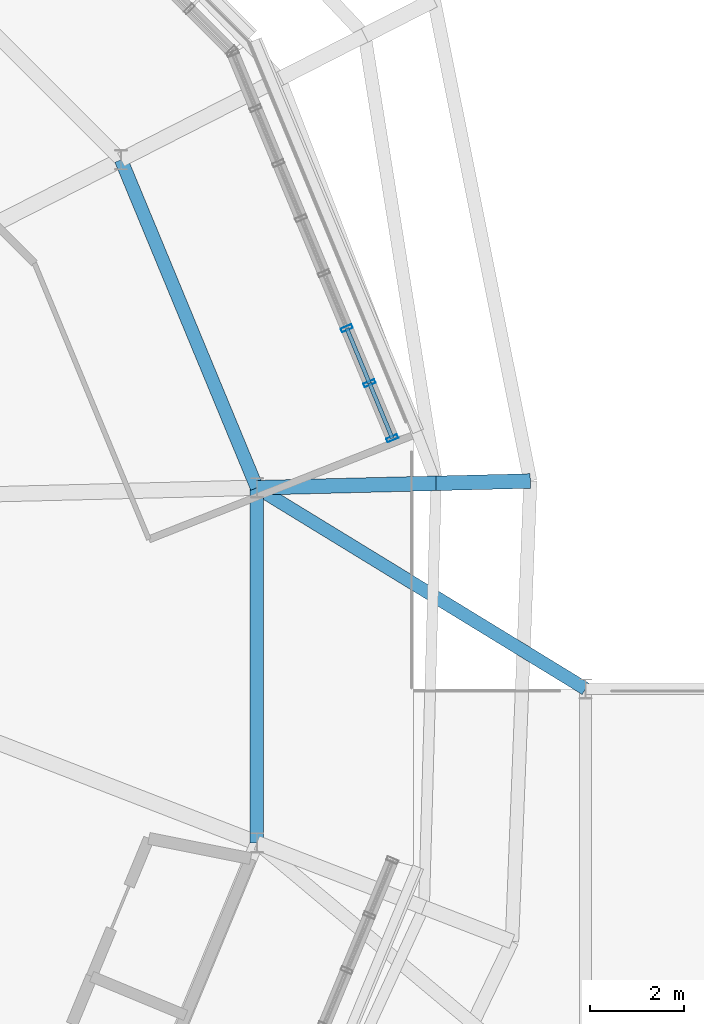
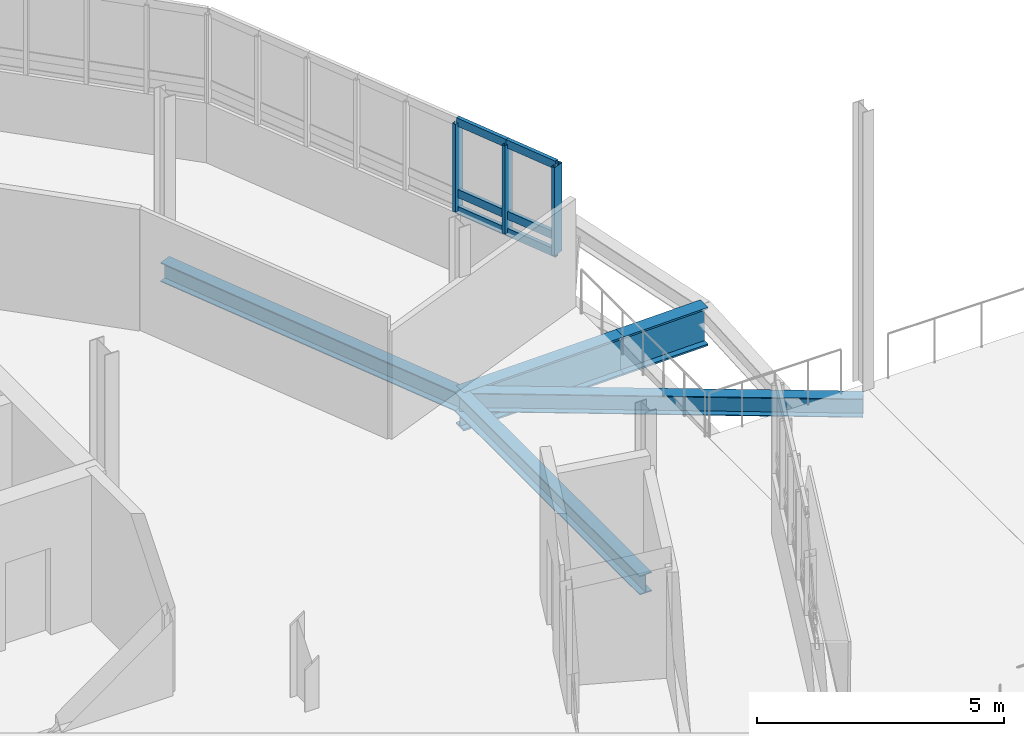
# One storey, part 22 of 61: 9 members, 5 beams, 1 element without a shape of its own.
"""IFC4 building model written with IfcOpenShell, lengths in metres."""

from ifc_helpers import new_model, si_unit, derived_unit, direction, frame, origin, origin_2d, place, context, subcontext, project, spatial, hollow_rectangle, i_section, extrude, material, layer, layer_set, material_profile, profile_set, type_object, element, aggregate, save


model = new_model("IFC4")

# Units and contexts
model_context = context("Model", 3, precision=1e-05, world=origin(), true_north=direction((0.0, 1.0)))
body_context = subcontext(model_context, "Body", "Model", "MODEL_VIEW")
ifc_project = project(units=[si_unit("LENGTHUNIT", "METRE"), si_unit("AREAUNIT", "SQUARE_METRE"), si_unit("VOLUMEUNIT", "CUBIC_METRE"), si_unit("PLANEANGLEUNIT", "RADIAN"), si_unit("MASSUNIT", "GRAM", prefix="KILO"), derived_unit("THERMALTRANSMITTANCEUNIT", [(si_unit("MASSUNIT", "GRAM", prefix="KILO"), 1), (si_unit("TIMEUNIT", "SECOND"), -3), (si_unit("THERMODYNAMICTEMPERATUREUNIT", "KELVIN"), -1)])], contexts=[model_context])

# Site, building, storey
site_placement = place(None, origin())
site = spatial("IfcSite", under=ifc_project, at=site_placement, CompositionType="ELEMENT")
building_placement = place(site_placement, origin())
building = spatial("IfcBuilding", under=site, at=building_placement, Name="Makaiwela Harbour Ferry Terminal", CompositionType="ELEMENT")
storey_placement = place(building_placement, frame((0.0, 0.0, 13.800048828125)))
storey = spatial("IfcBuildingStorey", under=building, at=storey_placement, Name="L03", CompositionType="ELEMENT", Elevation=13.800048828125)

# Curtain wall, members
ifc_material_1 = material(Name="Marine anodised aluminium 6063-T6", Category="aluminium")
ifc_layer = layer(ifc_material_1, 0.199951171875)
ifc_layer_set = layer_set([ifc_layer], Name="Marine anodised aluminium 6063-T6")
curtain_wall_type = type_object("IfcCurtainWallType", Name="ENV-CW-05", PredefinedType="USERDEFINED", material=ifc_layer_set)
curtain_wall_placement = place(storey_placement, origin())
curtain_wall = element("IfcCurtainWall", 1, at=curtain_wall_placement, inside=storey, type_object=curtain_wall_type, Name="Unitised Curtain Wall CWA-029", ObjectType="UNITIZED CURTAIN WALL", PredefinedType="USERDEFINED")
ifc_material_profile_1 = material_profile(ifc_material_1, hollow_rectangle(XDim=0.0849609375, YDim=0.25, WallThickness=0.0048828125, at=origin_2d()), Name="CWM-250X85")
ifc_profile_set_1 = profile_set([ifc_material_profile_1], Name="Marine anodised aluminium 6063-T6")
member_type_1 = type_object("IfcMemberType", Name="CW-MUL-250", PredefinedType="MULLION", material=ifc_profile_set_1)
member_1_placement = place(storey_placement, frame((58.900390625, 72.915771484375, 1.47998046875), z_axis=(0.0, 0.0, 1.0), x_axis=(-0.382683432365, 0.923879532511, 0.0)))
member_1 = element("IfcMember", 2, at=member_1_placement, type_object=member_type_1, Name="Curtain Wall Mullion CWA-029-1", PredefinedType="MULLION", context=body_context, shape_type="SweptSolid", body=[
    extrude(hollow_rectangle(XDim=0.0849609375, YDim=0.25, WallThickness=0.0048828125, at=origin_2d()), origin(), (0.0, 0.0, 1.0), 2.179931640625),
])
member_2_placement = place(storey_placement, frame((58.417236328125, 74.08203125, 1.47998046875), z_axis=(0.0, 0.0, 1.0), x_axis=(-0.382683432365, 0.923879532511, 0.0)))
member_2 = element("IfcMember", 3, at=member_2_placement, type_object=member_type_1, Name="Curtain Wall Mullion CWA-029-2", PredefinedType="MULLION", context=body_context, shape_type="SweptSolid", body=[
    extrude(hollow_rectangle(XDim=0.0849609375, YDim=0.25, WallThickness=0.0048828125, at=origin_2d()), origin(), (0.0, 0.0, 1.0), 2.179931640625),
])
member_3_placement = place(storey_placement, frame((57.934326171875, 75.248291015625, 1.47998046875), z_axis=(0.0, 0.0, 1.0), x_axis=(-0.382683432365, 0.923879532511, 0.0)))
member_3 = element("IfcMember", 4, at=member_3_placement, type_object=member_type_1, Name="Curtain Wall Mullion CWA-029-3", PredefinedType="MULLION", context=body_context, shape_type="SweptSolid", body=[
    extrude(hollow_rectangle(XDim=0.0849609375, YDim=0.25, WallThickness=0.0048828125, at=origin_2d()), origin(), (0.0, 0.0, 1.0), 2.179931640625),
])
ifc_material_profile_2 = material_profile(ifc_material_1, hollow_rectangle(XDim=0.0849609375, YDim=0.199951171875, WallThickness=0.0048828125, at=origin_2d()), Name="CWT-200X85")
ifc_profile_set_2 = profile_set([ifc_material_profile_2], Name="Marine anodised aluminium 6063-T6")
member_type_2 = type_object("IfcMemberType", Name="CW-TRN-200", PredefinedType="USERDEFINED", material=ifc_profile_set_2)
member_4_placement = place(storey_placement, frame((58.900390625, 72.915771484375, 1.47998046875), z_axis=(-0.38273325349, 0.923858894352, 0.0), x_axis=(-0.923858894352, -0.38273325349, 0.0)))
member_4 = element("IfcMember", 5, at=member_4_placement, type_object=member_type_2, Name="Curtain Wall Transom CWA-029-1-1", ObjectType="TRANSOM", PredefinedType="USERDEFINED", context=body_context, shape_type="SweptSolid", body=[
    extrude(hollow_rectangle(XDim=0.0849609375, YDim=0.199951171875, WallThickness=0.0048828125, at=origin_2d()), origin(), (0.0, 0.0, 1.0), 1.262451171875),
])
member_5_placement = place(storey_placement, frame((58.900390625, 72.915771484375, 1.89990234375), z_axis=(-0.38273325349, 0.923858894352, 0.0), x_axis=(-0.923858894352, -0.38273325349, 0.0)))
member_5 = element("IfcMember", 6, at=member_5_placement, type_object=member_type_2, Name="Curtain Wall Transom CWA-029-1-2", ObjectType="TRANSOM", PredefinedType="USERDEFINED", context=body_context, shape_type="SweptSolid", body=[
    extrude(hollow_rectangle(XDim=0.0849609375, YDim=0.199951171875, WallThickness=0.0048828125, at=origin_2d()), origin(), (0.0, 0.0, 1.0), 1.262451171875),
])
member_6_placement = place(storey_placement, frame((58.900390625, 72.915771484375, 3.659912109375), z_axis=(-0.38273325349, 0.923858894352, 0.0), x_axis=(-0.923858894352, -0.38273325349, 0.0)))
member_6 = element("IfcMember", 7, at=member_6_placement, type_object=member_type_2, Name="Curtain Wall Transom CWA-029-1-3", ObjectType="TRANSOM", PredefinedType="USERDEFINED", context=body_context, shape_type="SweptSolid", body=[
    extrude(hollow_rectangle(XDim=0.0849609375, YDim=0.199951171875, WallThickness=0.0048828125, at=origin_2d()), origin(), (0.0, 0.0, 1.0), 1.262451171875),
])
member_7_placement = place(storey_placement, frame((58.417236328125, 74.08203125, 1.47998046875), z_axis=(-0.382568167619, 0.923927268309, 0.0), x_axis=(-0.923927268309, -0.382568167619, 0.0)))
member_7 = element("IfcMember", 8, at=member_7_placement, type_object=member_type_2, Name="Curtain Wall Transom CWA-029-2-1", ObjectType="TRANSOM", PredefinedType="USERDEFINED", context=body_context, shape_type="SweptSolid", body=[
    extrude(hollow_rectangle(XDim=0.0849609375, YDim=0.199951171875, WallThickness=0.0048828125, at=origin_2d()), origin(), (0.0, 0.0, 1.0), 1.26220703125),
])
member_8_placement = place(storey_placement, frame((58.417236328125, 74.08203125, 1.89990234375), z_axis=(-0.382568167619, 0.923927268309, 0.0), x_axis=(-0.923927268309, -0.382568167619, 0.0)))
member_8 = element("IfcMember", 9, at=member_8_placement, type_object=member_type_2, Name="Curtain Wall Transom CWA-029-2-2", ObjectType="TRANSOM", PredefinedType="USERDEFINED", context=body_context, shape_type="SweptSolid", body=[
    extrude(hollow_rectangle(XDim=0.0849609375, YDim=0.199951171875, WallThickness=0.0048828125, at=origin_2d()), origin(), (0.0, 0.0, 1.0), 1.26220703125),
])
member_9_placement = place(storey_placement, frame((58.417236328125, 74.08203125, 3.659912109375), z_axis=(-0.382568167619, 0.923927268309, 0.0), x_axis=(-0.923927268309, -0.382568167619, 0.0)))
member_9 = element("IfcMember", 10, at=member_9_placement, type_object=member_type_2, Name="Curtain Wall Transom CWA-029-2-3", ObjectType="TRANSOM", PredefinedType="USERDEFINED", context=body_context, shape_type="SweptSolid", body=[
    extrude(hollow_rectangle(XDim=0.0849609375, YDim=0.199951171875, WallThickness=0.0048828125, at=origin_2d()), origin(), (0.0, 0.0, 1.0), 1.26220703125),
])
aggregate(curtain_wall, [member_1, member_2, member_3, member_4, member_5, member_6, member_7, member_8, member_9])

# Beams
ifc_material_2 = material(Name="Steel ASTM A992 Grade 50", Category="steel")
ifc_material_profile_3 = material_profile(ifc_material_2, i_section(OverallWidth=0.280029296875, OverallDepth=0.462890625, WebThickness=0.0107421875, FlangeThickness=0.017333984375, at=origin_2d()), Name="W18X76")
ifc_profile_set_3 = profile_set([ifc_material_profile_3], Name="Steel ASTM A992 Grade 50")
beam_type_1 = type_object("IfcBeamType", Name="STR-BM-W18X76", PredefinedType="BEAM", material=ifc_profile_set_3)
beam_1_placement = place(storey_placement, frame((56.029296875, 71.865234375, -0.486572265625), z_axis=(0.852995171969, -0.521918802686, 0.0), x_axis=(0.521918802686, 0.852995171969, 0.0)))
element("IfcBeam", 11, at=beam_1_placement, inside=storey, type_object=beam_type_1, Name="Neck tie beam 369", PredefinedType="BEAM", context=body_context, shape_type="SweptSolid", body=[
    extrude(i_section(OverallWidth=0.280029296875, OverallDepth=0.462890625, WebThickness=0.0107421875, FlangeThickness=0.017333984375, at=origin_2d()), origin(), (0.0, 0.0, 1.0), 8.172119140625),
])
ifc_material_profile_4 = material_profile(ifc_material_2, i_section(OverallWidth=0.31005859375, OverallDepth=0.949951171875, WebThickness=0.0244140625, FlangeThickness=0.0439453125, at=origin_2d()), Name="W36X256")
ifc_profile_set_4 = profile_set([ifc_material_profile_4], Name="Steel ASTM A992 Grade 50")
beam_type_2 = type_object("IfcBeamType", Name="STR-GRD-W36X256", PredefinedType="USERDEFINED", material=ifc_profile_set_4)
beam_2_placement = place(storey_placement, frame((56.029296875, 71.865234375, -0.72998046875), z_axis=(0.99969399486, 0.024736948906, 0.0), x_axis=(-0.024736948906, 0.99969399486, 0.0)))
element("IfcBeam", 12, at=beam_2_placement, inside=storey, type_object=beam_type_2, Name="Drum radial overhang 272", ObjectType="GIRDER", PredefinedType="USERDEFINED", context=body_context, shape_type="SweptSolid", body=[
    extrude(i_section(OverallWidth=0.31005859375, OverallDepth=0.949951171875, WebThickness=0.0244140625, FlangeThickness=0.0439453125, at=origin_2d()), origin(), (0.0, 0.0, 1.0), 3.7998046875),
])
beam_3_placement = place(storey_placement, frame((59.827880859375, 71.959228515625, -0.72998046875), z_axis=(0.99969296052, 0.024778714406, 0.0), x_axis=(-0.024778714406, 0.99969296052, 0.0)))
element("IfcBeam", 13, at=beam_3_placement, inside=storey, type_object=beam_type_2, Name="Drum overhang radial girder 273", ObjectType="GIRDER", PredefinedType="USERDEFINED", context=body_context, shape_type="SweptSolid", body=[
    extrude(i_section(OverallWidth=0.31005859375, OverallDepth=0.949951171875, WebThickness=0.0244140625, FlangeThickness=0.0439453125, at=origin_2d()), origin(), (0.0, 0.0, 1.0), 2.000244140625),
])
ifc_material_profile_5 = material_profile(ifc_material_2, i_section(OverallWidth=0.283935546875, OverallDepth=0.47607421875, WebThickness=0.014892578125, FlangeThickness=0.02392578125, at=origin_2d()), Name="W18X106")
ifc_profile_set_5 = profile_set([ifc_material_profile_5], Name="Steel ASTM A992 Grade 50")
beam_type_3 = type_object("IfcBeamType", Name="STR-SPN-W18X106", PredefinedType="SPANDREL", material=ifc_profile_set_5)
for number, where, z_axis, x_axis, name in (
    (14, (56.029296875, 71.865234375, -0.4931640625), (-0.382687752376, 0.923877743092, 0.0), (-0.923877743092, -0.382687752376, 0.0), "Drum column ring girder 255"),
    (15, (56.029296875, 64.334716796875, -0.4931640625), (0.0, 1.0, 0.0), (-1.0, 0.0, 0.0), "Drum column ring girder 270"),
):
    element("IfcBeam", number, at=place(storey_placement, frame(where, z_axis=z_axis, x_axis=x_axis)), inside=storey, type_object=beam_type_3, Name=name, PredefinedType="SPANDREL", context=body_context, shape_type="SweptSolid", body=[
        extrude(i_section(OverallWidth=0.283935546875, OverallDepth=0.47607421875, WebThickness=0.014892578125, FlangeThickness=0.02392578125, at=origin_2d()), origin(), (0.0, 0.0, 1.0), 7.530517578125),
    ])

save(model, "model.ifc")
